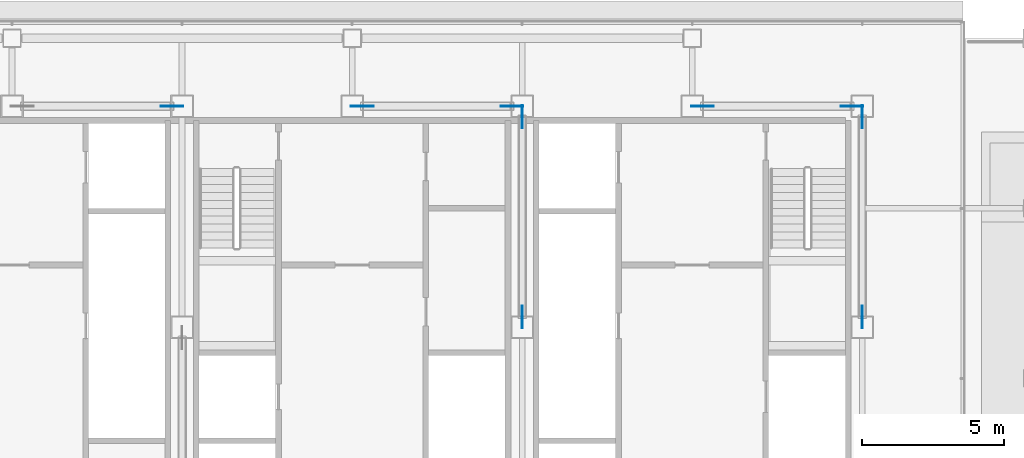
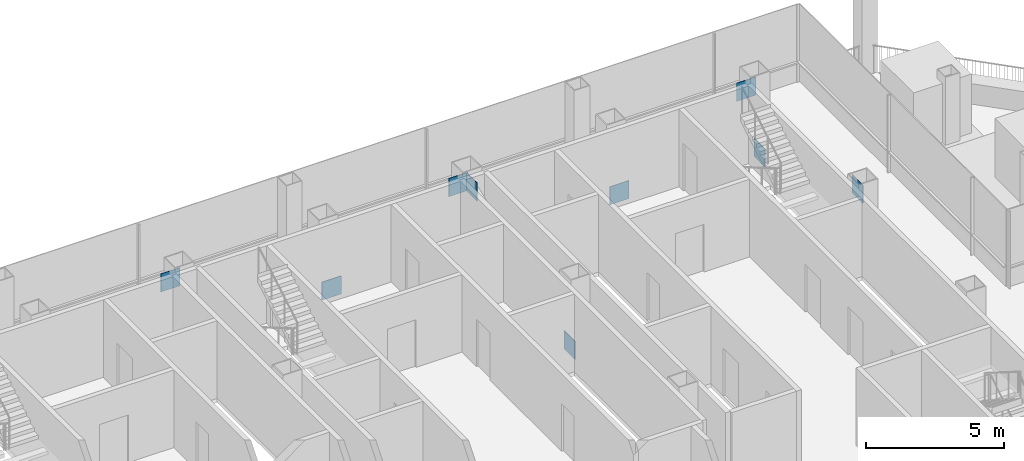
# One storey, part 25 of 29: 9 discrete accessories.
"""IFC4 building model written with IfcOpenShell, lengths in metres."""

from ifc_helpers import new_model, si_unit, direction, frame, origin, origin_2d, place, context, subcontext, project, spatial, rectangle, extrude, material, layer, layer_set, type_object, element, save


model = new_model("IFC4")

# Units and contexts
model_context = context("Model", 3, precision=1e-05, world=origin(), true_north=direction((0.0, 1.0)))
body_context = subcontext(model_context, "Body", "Model", "MODEL_VIEW")
ifc_project = project(units=[si_unit("LENGTHUNIT", "METRE"), si_unit("AREAUNIT", "SQUARE_METRE"), si_unit("VOLUMEUNIT", "CUBIC_METRE"), si_unit("PLANEANGLEUNIT", "RADIAN"), si_unit("MASSUNIT", "GRAM", prefix="KILO")], contexts=[model_context])

# Site, building, storey
site_placement = place(None, origin())
site = spatial("IfcSite", under=ifc_project, at=site_placement, CompositionType="ELEMENT")
building_placement = place(site_placement, origin())
building = spatial("IfcBuilding", under=site, at=building_placement, Name="Sorahane Residences", CompositionType="ELEMENT")
storey_placement = place(building_placement, frame((0.0, 0.0, 199.199951171875)))
storey = spatial("IfcBuildingStorey", under=building, at=storey_placement, Name="L46", CompositionType="ELEMENT", Elevation=199.199951171875)

# Discrete accessories
ifc_material = material(Name="Steel Q355B", Category="steel")
ifc_layer = layer(ifc_material, 0.02490234375)
ifc_layer_set = layer_set([ifc_layer], Name="Node plate Steel Q355B 25")
discrete_accessory_type = type_object("IfcDiscreteAccessoryType", Name="Node plate Steel Q355B 25", PredefinedType="BRACKET", material=ifc_layer_set)
for number, where, z_axis, x_axis, name in (
    (1, (30.0, 38.16796875, -0.26220703125), (0.0, 0.0, 1.0), (0.0, 1.0, 0.0), "Node plate L46 br"),
    (2, (30.0, 45.232177734375, 2.43212890625), (0.0, 0.0, 1.0), (0.0, 1.0, 0.0), "Node plate L46 br"),
    (3, (42.0, 45.232177734375, -0.26220703125), (0.0, 0.0, 1.0), (0.0, 1.0, 0.0), "Node plate L46 br"),
    (4, (42.0, 38.16796875, 2.43212890625), (0.0, 0.0, 1.0), (0.0, 1.0, 0.0), "Node plate L46 br"),
    (5, (24.35888671875, 45.60009765625, -0.27099609375), (0.0, 0.0, 1.0), (1.0, 0.0, 0.0), "Node plate L46 br"),
    (6, (36.35888671875, 45.60009765625, -0.27099609375), (0.0, 0.0, 1.0), (1.0, 0.0, 0.0), "Node plate L46 br"),
    (7, (17.64111328125, 45.60009765625, 2.44091796875), (0.0, 0.0, 1.0), (1.0, 0.0, 0.0), "Node plate L46 br"),
    (8, (29.64111328125, 45.60009765625, 2.44091796875), (0.0, 0.0, 1.0), (1.0, 0.0, 0.0), "Node plate L46 br"),
    (9, (41.64111328125, 45.60009765625, 2.44091796875), (0.0, 0.0, 1.0), (1.0, 0.0, 0.0), "Node plate L46 br"),
):
    element("IfcDiscreteAccessory", number, at=place(storey_placement, frame(where, z_axis=z_axis, x_axis=x_axis)), inside=storey, type_object=discrete_accessory_type, Name=name, PredefinedType="BRACKET", context=body_context, shape_type="SweptSolid", body=[
        extrude(rectangle(XDim=0.800048828125, YDim=0.02490234375, at=origin_2d()), origin(), (0.0, 0.0, 1.0), 0.800048828125),
    ])

save(model, "model.ifc")
